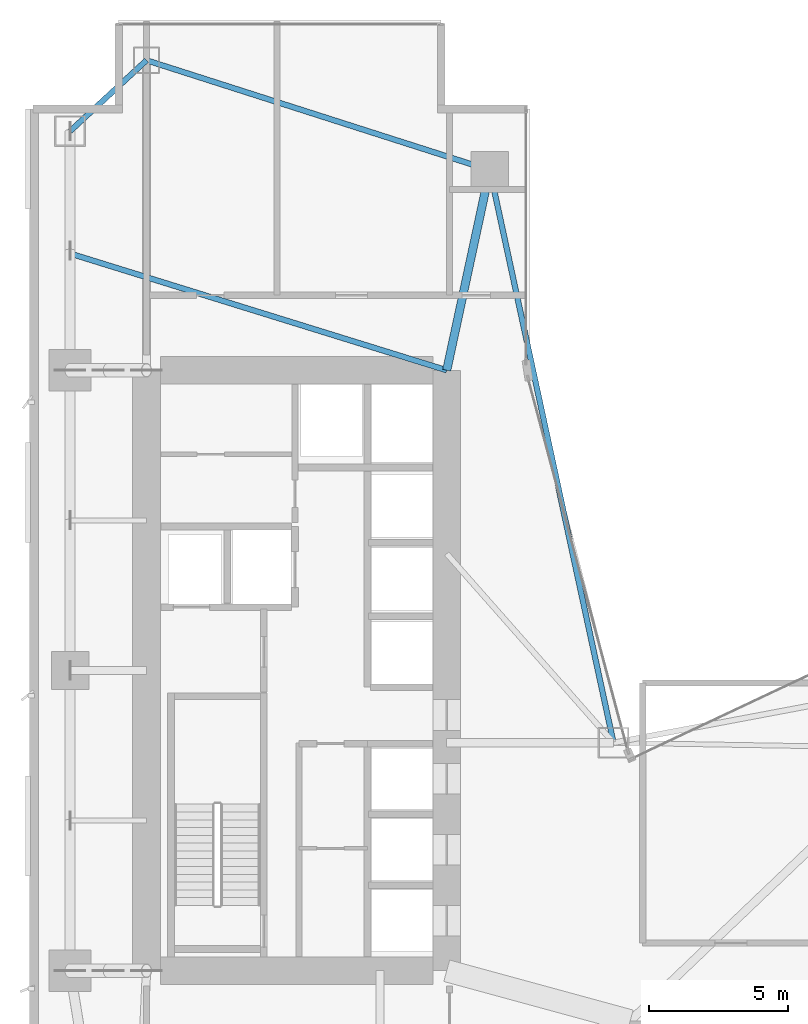
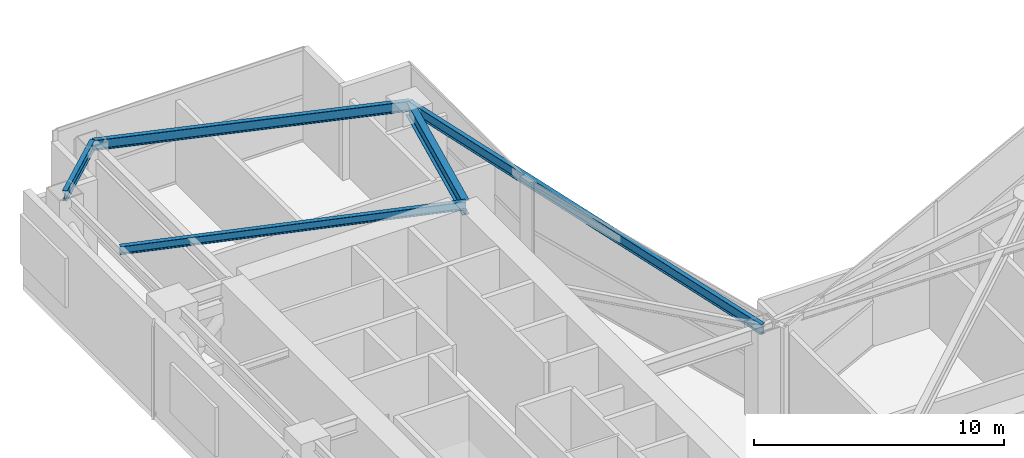
# One storey, part 5 of 18: 5 beams.
"""IFC4 building model written with IfcOpenShell, lengths in metres."""

import ifcopenshell
import ifcopenshell.guid

model = None  # the IFC model being written
_history = None  # IfcOwnerHistory: only IFC2X3 demands one
_inside = {}  # id of a spatial element -> (the spatial element, [elements in it])
_under = {}  # id of a project, library or spatial element -> (it, [spatial elements below it])
_declared = {}  # id of a project -> (the project, [libraries it declares])
_typed = {}  # id of a type object -> (the type object, [elements of that type])
_made_of = {}  # id of a material, layer set ... -> (it, [elements and type objects made of it])


def new_model(schema):
    """Start an empty IFC model of exactly this schema.

    Asked for "IFC4X3", IfcOpenShell would pick the latest addendum, in which some entities
    have other attributes; the version numbers below select the first issue.
    IFC2X3 requires an IfcOwnerHistory on every rooted entity: one is made here for all.
    """
    global model, _history
    if schema == "IFC4X3":
        model = ifcopenshell.file(schema_version=(4, 3, 0, 0))
    else:
        model = ifcopenshell.file(schema=schema)
    _inside.clear()
    _under.clear()
    _declared.clear()
    _typed.clear()
    _made_of.clear()
    _history = None
    if model.schema == "IFC2X3":
        org = make("IfcOrganization", Name="unknown")
        user = make(
            "IfcPersonAndOrganization",
            ThePerson=make("IfcPerson", FamilyName="unknown"),
            TheOrganization=org,
        )
        app = make(
            "IfcApplication",
            ApplicationDeveloper=org,
            Version="unknown",
            ApplicationFullName="unknown",
            ApplicationIdentifier="unknown",
        )
        _history = make(
            "IfcOwnerHistory",
            OwningUser=user,
            OwningApplication=app,
            ChangeAction="ADDED",
            CreationDate=0,
        )
    return model


def make(cls, **values):
    """One entity of the class cls with the attributes given. An attribute that is None is left unset."""
    return model.create_entity(
        cls, **{name: value for name, value in values.items() if value is not None}
    )


def rooted(cls, **values):
    """An entity with a GlobalId (a new one), such as an element, a storey or a relation."""
    return make(cls, GlobalId=ifcopenshell.guid.new(), OwnerHistory=_history, **values)


def si_unit(unit_type, name, prefix=None):
    """IfcSIUnit, for example si_unit("LENGTHUNIT", "METRE", prefix="MILLI")."""
    return make("IfcSIUnit", UnitType=unit_type, Prefix=prefix, Name=name)


def assignment(units):
    """IfcUnitAssignment: the units of a project."""
    return None if units is None else make("IfcUnitAssignment", Units=units)


def point(xyz):
    """IfcCartesianPoint."""
    return None if xyz is None else make("IfcCartesianPoint", Coordinates=xyz)


def direction(xyz):
    """IfcDirection."""
    return None if xyz is None else make("IfcDirection", DirectionRatios=xyz)


def frame(location, z_axis=None, x_axis=None):
    """IfcAxis2Placement3D, a coordinate frame: its origin and axes. An axis left out is left unset."""
    return make(
        "IfcAxis2Placement3D",
        Location=point(location),
        Axis=direction(z_axis),
        RefDirection=direction(x_axis),
    )


def frame_2d(location, x_axis=None):
    """IfcAxis2Placement2D, a coordinate frame in the plane: its origin and x axis."""
    return make(
        "IfcAxis2Placement2D", Location=point(location), RefDirection=direction(x_axis)
    )


def origin():
    """The frame at (0, 0, 0) with its axes left unset."""
    return frame((0.0, 0.0, 0.0))


def origin_2d():
    """The frame at (0, 0) in the plane with its x axis left unset."""
    return frame_2d((0.0, 0.0))


def place(relative_to, where):
    """IfcLocalPlacement: puts the frame where relative to a parent placement (None: the world)."""
    return make(
        "IfcLocalPlacement", PlacementRelTo=relative_to, RelativePlacement=where
    )


def context(
    kind, dimensions, precision=None, world=None, true_north=None, identifier=None
):
    """IfcGeometricRepresentationContext, for example the 3D "Model" context."""
    return make(
        "IfcGeometricRepresentationContext",
        ContextIdentifier=identifier,
        ContextType=kind,
        CoordinateSpaceDimension=dimensions,
        Precision=precision,
        WorldCoordinateSystem=world,
        TrueNorth=true_north,
    )


def subcontext(parent, identifier, kind, view, scale=None):
    """IfcGeometricRepresentationSubContext, for example "Body" below "Model"."""
    return make(
        "IfcGeometricRepresentationSubContext",
        ContextIdentifier=identifier,
        ContextType=kind,
        ParentContext=parent,
        TargetScale=scale,
        TargetView=view,
    )


def project(units=None, contexts=None):
    """IfcProject with its units and contexts."""
    return rooted(
        "IfcProject",
        Name="project",
        RepresentationContexts=contexts,
        UnitsInContext=assignment(units),
    )


def spatial(cls, under=None, at=None, **own):
    """A site, building, storey or space (cls), placed at a placement, below another one or the project."""
    s = rooted(cls, ObjectPlacement=at, **own)
    if under is not None:
        _under.setdefault(under.id(), (under, []))[1].append(s)
    return s


def profile(cls, at=None, kind="AREA", **sizes):
    """A parametric profile (cls). Its sizes go by their IFC names, for example OverallWidth=200.0."""
    return make(cls, ProfileType=kind, Position=at, **sizes)


def i_section(**sizes):
    """IfcIShapeProfileDef."""
    return profile("IfcIShapeProfileDef", **sizes)


def extrude(swept, where, along, depth):
    """IfcExtrudedAreaSolid: the profile swept, set in the frame where, extruded along a direction by depth."""
    return make(
        "IfcExtrudedAreaSolid",
        SweptArea=swept,
        Position=where,
        ExtrudedDirection=direction(along),
        Depth=depth,
    )


def shape(context_of_items, identifier, shape_type, items):
    """IfcShapeRepresentation: the items that make up one representation, for example the "Body"."""
    return make(
        "IfcShapeRepresentation",
        ContextOfItems=context_of_items,
        RepresentationIdentifier=identifier,
        RepresentationType=shape_type,
        Items=items,
    )


def material(Name=None, Category=None):
    """IfcMaterial."""
    return make("IfcMaterial", Name=Name, Category=Category)


def material_profile(
    of_material, cross_section, Name=None, Category=None, Priority=None
):
    """IfcMaterialProfile: a cross section and its material."""
    return make(
        "IfcMaterialProfile",
        Name=Name,
        Material=of_material,
        Profile=cross_section,
        Priority=Priority,
        Category=Category,
    )


def profile_set(profiles, Name=None, composite=None):
    """IfcMaterialProfileSet."""
    return make(
        "IfcMaterialProfileSet",
        Name=Name,
        MaterialProfiles=profiles,
        CompositeProfile=composite,
    )


def made_of(thing, what):
    """Note that an element or type object is made of a material, layer set ...; save() writes the relation."""
    if what is not None:
        _made_of.setdefault(what.id(), (what, []))[1].append(thing)
    return thing


def type_object(cls, material=None, **own):
    """A type object (cls), such as IfcWallType, which elements share."""
    return made_of(rooted(cls, **own), material)


def element(
    cls,
    number,
    at=None,
    inside=None,
    cuts=None,
    type_object=None,
    material=None,
    context=None,
    identifier="Body",
    shape_type=None,
    held_by="IfcProductDefinitionShape",
    body=None,
    shapes=None,
    **own,
):
    """One element of the class cls, such as IfcWall. Its Tag is "e" and its number.

    at: its placement. inside: the storey or other place that contains it. cuts: it is an
    opening in that element (IfcRelVoidsElement). A single representation is given by context,
    identifier, shape_type and body (its items); several are given by shapes. held_by: the class
    of the entity that holds the representations. save() writes the other relations.
    """
    e = rooted(cls, Tag="e%d" % number, ObjectPlacement=at, **own)
    if body is not None:
        shapes = [shape(context, identifier, shape_type, body)]
    if shapes is not None:
        e.Representation = make(held_by, Representations=shapes)
    if inside is not None:
        _inside.setdefault(inside.id(), (inside, []))[1].append(e)
    if cuts is not None:
        rooted(
            "IfcRelVoidsElement", RelatingBuildingElement=cuts, RelatedOpeningElement=e
        )
    if type_object is not None:
        _typed.setdefault(type_object.id(), (type_object, []))[1].append(e)
    return made_of(e, material)


def aggregate(whole, parts):
    """IfcRelAggregates: a whole, such as a stair, and the parts it consists of."""
    return rooted("IfcRelAggregates", RelatingObject=whole, RelatedObjects=parts)


def save(model, path):
    """Write the relations noted so far, then the file.

    IfcRelAggregates (storeys below a building ...), IfcRelContainedInSpatialStructure (elements
    in a storey), IfcRelDefinesByType, IfcRelAssociatesMaterial and IfcRelDeclares: one each for
    every whole, place, type object, material and project.
    """
    for whole, parts in _under.values():
        aggregate(whole, parts)
    for where, things in _inside.values():
        rooted(
            "IfcRelContainedInSpatialStructure",
            RelatedElements=things,
            RelatingStructure=where,
        )
    for kind, things in _typed.values():
        rooted("IfcRelDefinesByType", RelatedObjects=things, RelatingType=kind)
    for what, things in _made_of.values():
        rooted("IfcRelAssociatesMaterial", RelatedObjects=things, RelatingMaterial=what)
    for by, libraries in _declared.values():
        rooted("IfcRelDeclares", RelatingContext=by, RelatedDefinitions=libraries)
    model.write(path)


model = new_model("IFC4")

# Units and contexts
model_context = context("Model", 3, precision=1e-05, world=origin(), true_north=direction((0.0, 1.0)))
body_context = subcontext(model_context, "Body", "Model", "MODEL_VIEW")
ifc_project = project(units=[si_unit("LENGTHUNIT", "METRE"), si_unit("AREAUNIT", "SQUARE_METRE"), si_unit("VOLUMEUNIT", "CUBIC_METRE"), si_unit("PLANEANGLEUNIT", "RADIAN"), si_unit("MASSUNIT", "GRAM", prefix="KILO")], contexts=[model_context])

# Site, building, storey
site_placement = place(None, origin())
site = spatial("IfcSite", under=ifc_project, at=site_placement, CompositionType="ELEMENT")
building_placement = place(site_placement, origin())
building = spatial("IfcBuilding", under=site, at=building_placement, Name="Calvorn Quay Hotel", CompositionType="ELEMENT")
storey_placement = place(building_placement, frame((0.0, 0.0, 46.0)))
storey = spatial("IfcBuildingStorey", under=building, at=storey_placement, Name="L10", CompositionType="ELEMENT", Elevation=46.0)

# Beams
ifc_material_1 = material(Name="Steel Q390GJC", Category="steel")
ifc_material_profile_1 = material_profile(ifc_material_1, i_section(OverallWidth=0.300048828125, OverallDepth=0.699951171875, WebThickness=0.012939453125, FlangeThickness=0.02392578125, FilletRadius=0.02392578125, at=origin_2d()), Name="HN700x300x13x24")
ifc_profile_set_1 = profile_set([ifc_material_profile_1], Name="Steel Q390GJC")
beam_type_1 = type_object("IfcBeamType", Name="BM-GIRD-MAIN", PredefinedType="BEAM", material=ifc_profile_set_1)
beam_1_placement = place(storey_placement, frame((16.550048828125, 45.60009765625, 4.18994140625), z_axis=(-0.210457140491, -0.97760308511, 0.0), x_axis=(0.97760308511, -0.210457140491, 0.0)))
element("IfcBeam", 1, at=beam_1_placement, inside=storey, type_object=beam_type_1, Name="Beam BG-L10-W6", PredefinedType="BEAM", context=body_context, shape_type="SweptSolid", body=[
    extrude(i_section(OverallWidth=0.300048828125, OverallDepth=0.699951171875, WebThickness=0.012939453125, FlangeThickness=0.02392578125, FilletRadius=0.02392578125, at=origin_2d()), origin(), (0.0, 0.0, 1.0), 7.365234375),
])
ifc_material_2 = material(Name="Steel Q355B", Category="steel")
ifc_material_profile_2 = material_profile(ifc_material_2, i_section(OverallWidth=0.199951171875, OverallDepth=0.39990234375, WebThickness=0.008056640625, FlangeThickness=0.012939453125, FilletRadius=0.01611328125, at=origin_2d()), Name="HN400x200x8x13")
ifc_profile_set_2 = profile_set([ifc_material_profile_2], Name="Steel Q355B")
beam_type_2 = type_object("IfcBeamType", Name="BM-JOIST-TYP", PredefinedType="JOIST", material=ifc_profile_set_2)
beam_2_placement = place(storey_placement, frame((1.449951171875, 42.60009765625, 4.340087890625), z_axis=(0.955163702122, -0.296078202759, 0.0), x_axis=(0.296078202759, 0.955163702122, 0.0)))
element("IfcBeam", 2, at=beam_2_placement, inside=storey, type_object=beam_type_2, Name="Beam BJ-L10-W2", PredefinedType="JOIST", context=body_context, shape_type="SweptSolid", body=[
    extrude(i_section(OverallWidth=0.199951171875, OverallDepth=0.39990234375, WebThickness=0.008056640625, FlangeThickness=0.012939453125, FilletRadius=0.01611328125, at=origin_2d()), origin(), (0.0, 0.0, 1.0), 14.18603515625),
])
ifc_material_3 = material(Name="Steel Q355B", Category="steel")
ifc_material_profile_3 = material_profile(ifc_material_3, i_section(OverallWidth=0.199951171875, OverallDepth=0.5, WebThickness=0.010009765625, FlangeThickness=0.01611328125, FilletRadius=0.01611328125, at=origin_2d()), Name="HN500x200x10x16")
ifc_profile_set_3 = profile_set([ifc_material_profile_3], Name="Steel Q355B")
beam_type_3 = type_object("IfcBeamType", Name="BM-SPANDREL-Z1", PredefinedType="SPANDREL", material=ifc_profile_set_3)
beam_3_placement = place(storey_placement, frame((1.449951171875, 47.0, 4.2900390625), z_axis=(0.733261665538, 0.679946563969, 0.0), x_axis=(-0.679946563969, 0.733261665538, 0.0)))
element("IfcBeam", 3, at=beam_3_placement, inside=storey, type_object=beam_type_3, Name="Beam BSP-L10-W5", PredefinedType="SPANDREL", context=body_context, shape_type="SweptSolid", body=[
    extrude(i_section(OverallWidth=0.199951171875, OverallDepth=0.5, WebThickness=0.010009765625, FlangeThickness=0.01611328125, FilletRadius=0.01611328125, at=origin_2d()), origin(), (0.0, 0.0, 1.0), 3.75048828125),
])
beam_4_placement = place(storey_placement, frame((4.199951171875, 49.550048828125, 4.2900390625), z_axis=(0.952470702374, -0.304630203885, 0.0), x_axis=(0.304630203885, 0.952470702374, 0.0)))
element("IfcBeam", 4, at=beam_4_placement, inside=storey, type_object=beam_type_3, Name="Beam BSP-L10-W6", PredefinedType="SPANDREL", context=body_context, shape_type="SweptSolid", body=[
    extrude(i_section(OverallWidth=0.199951171875, OverallDepth=0.5, WebThickness=0.010009765625, FlangeThickness=0.01611328125, FilletRadius=0.01611328125, at=origin_2d()), origin(), (0.0, 0.0, 1.0), 12.96630859375),
])
beam_5_placement = place(storey_placement, frame((16.550048828125, 45.60009765625, 4.2900390625), z_axis=(0.211145848376, -0.977454567084, 0.0), x_axis=(0.977454567084, 0.211145848376, 0.0)))
element("IfcBeam", 5, at=beam_5_placement, inside=storey, type_object=beam_type_3, Name="Beam BSP-L10-W7", PredefinedType="SPANDREL", context=body_context, shape_type="SweptSolid", body=[
    extrude(i_section(OverallWidth=0.199951171875, OverallDepth=0.5, WebThickness=0.010009765625, FlangeThickness=0.01611328125, FilletRadius=0.01611328125, at=origin_2d()), origin(), (0.0, 0.0, 1.0), 21.0751953125),
])

save(model, "model.ifc")
